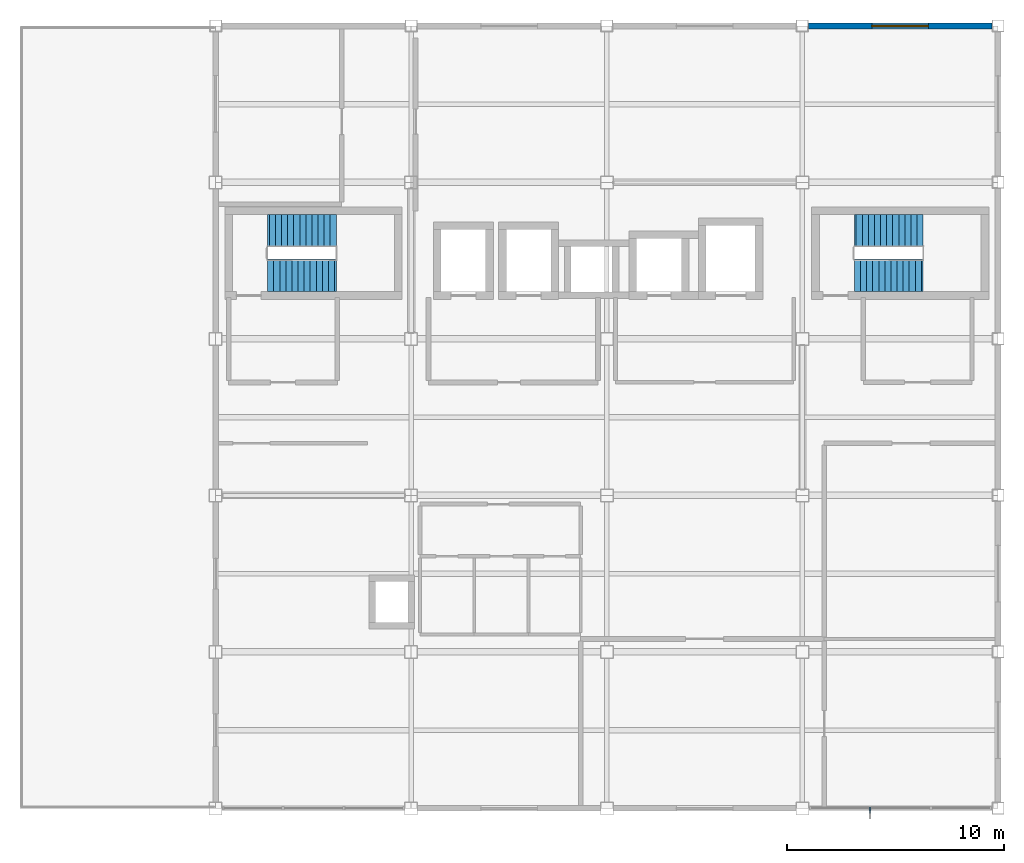
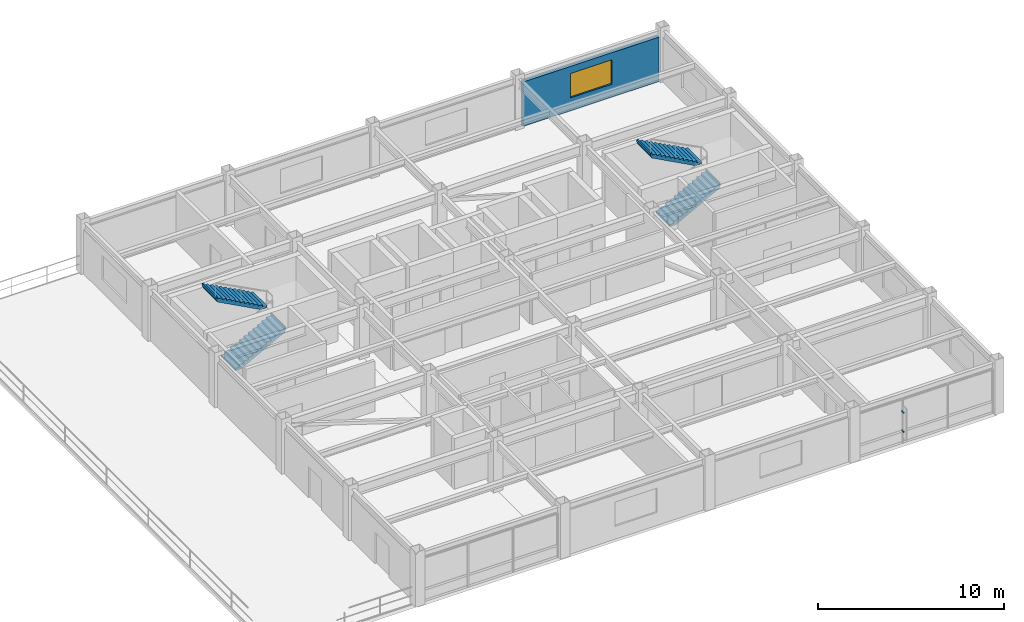
# One storey, part 8 of 11: 4 stair flights, 2 discrete accessories, 1 wall, 1 window, 1 opening, 2 elements without a shape of their own.
"""IFC4 building model written with IfcOpenShell, lengths in metres."""

from ifc_helpers import new_model, si_unit, direction, frame, frame_2d, origin, origin_2d, place, context, subcontext, project, spatial, polyline, rectangle, outline, extrude, material, layer, layer_set, type_object, element, fill, aggregate, save


model = new_model("IFC4")

# Units and contexts
model_context = context("Model", 3, precision=1e-05, world=origin(), true_north=direction((0.0, 1.0)))
body_context = subcontext(model_context, "Body", "Model", "MODEL_VIEW")
ifc_project = project(units=[si_unit("LENGTHUNIT", "METRE"), si_unit("AREAUNIT", "SQUARE_METRE"), si_unit("VOLUMEUNIT", "CUBIC_METRE"), si_unit("PLANEANGLEUNIT", "RADIAN"), si_unit("MASSUNIT", "GRAM", prefix="KILO")], contexts=[model_context])

# Site, building, storey
site_placement = place(None, origin())
site = spatial("IfcSite", under=ifc_project, at=site_placement, CompositionType="ELEMENT")
building_placement = place(site_placement, origin())
building = spatial("IfcBuilding", under=site, at=building_placement, Name="Kazanami Central Library", CompositionType="ELEMENT")
storey_placement = place(building_placement, frame((0.0, 0.0, 24.199951171875)))
storey = spatial("IfcBuildingStorey", under=building, at=storey_placement, Name="L07", CompositionType="ELEMENT", Elevation=24.199951171875)

# Wall, opening, window
ifc_material_1 = material(Name="Concrete Fc36 (36 MPa)", Category="concrete")
ifc_layer_1 = layer(ifc_material_1, 0.179931640625, Name="Concrete Fc36 (36 MPa)")
ifc_material_2 = material(Name="Extruded Polystyrene XPS", Category="earth")
ifc_layer_2 = layer(ifc_material_2, 0.050048828125, Name="Extruded Polystyrene XPS")
ifc_material_3 = material(Name="Honed Inada Granite", Category="masonry")
ifc_layer_3 = layer(ifc_material_3, 0.030029296875, Name="Honed Inada Granite")
ifc_layer_set = layer_set([ifc_layer_1, ifc_layer_2, ifc_layer_3], Name="Concrete Fc36 (36 MPa)")
wall_type = type_object("IfcWallType", Name="WAL-EW-260", PredefinedType="STANDARD", material=ifc_layer_set)
wall_placement = place(storey_placement, frame((161.72509765625, 93.60009765625, 0.0), z_axis=(0.0, 0.0, 1.0), x_axis=(-1.0, 0.0, 0.0)))
wall = element("IfcWall", 1, at=wall_placement, inside=storey, type_object=wall_type, Name="Exterior Facade Wall EW-260 L07 N-O-17", PredefinedType="STANDARD", context=body_context, shape_type="SweptSolid", body=[
    extrude(rectangle(XDim=8.4501953125, YDim=0.260009765625, at=frame_2d((4.22509765625, 0.0))), origin(), (0.0, 0.0, 1.0), 2.920166015625),
])
opening_placement = place(wall_placement, frame((2.925048828125, 0.0, 0.85009765625)))
opening = element("IfcOpeningElement", 2, at=opening_placement, cuts=wall, Name="Opening WN-13", PredefinedType="OPENING", context=body_context, shape_type="SweptSolid", body=[
    extrude(rectangle(XDim=2.60009765625, YDim=1.60009765625, at=frame_2d((1.300048828125, 0.800048828125))), frame((0.0, 0.14208984375, 0.0), z_axis=(0.0, -1.0, 0.0), x_axis=(1.0, 0.0, 0.0)), (0.0, 0.0, 1.0), 0.283935546875),
])
ifc_material_4 = material(Name="Low-E Insulated Triple Glass", Category="glass")
window_type = type_object("IfcWindowType", Name="WIN-WN-13", PartitioningType="DOUBLE_PANEL_VERTICAL", PredefinedType="WINDOW", material=ifc_material_4)
window_placement = place(opening_placement, origin())
window = element("IfcWindow", 3, at=window_placement, inside=storey, type_object=window_type, Name="Facade Window WN-13 L07 N-O-17", OverallHeight=1.60009765625, OverallWidth=2.60009765625, PartitioningType="DOUBLE_PANEL_VERTICAL", PredefinedType="WINDOW", context=body_context, shape_type="SweptSolid", body=[
    extrude(rectangle(XDim=2.60009765625, YDim=1.60009765625, at=frame_2d((1.300048828125, 0.800048828125))), frame((0.0, 0.030029296875, 0.0), z_axis=(0.0, -1.0, 0.0), x_axis=(1.0, 0.0, 0.0)), (0.0, 0.0, 1.0), 0.06005859375),
])
fill(opening, window)

# Stair, stair flights
stair_type = type_object("IfcStairType", Name="STR-T36", PredefinedType="HALF_TURN_STAIR", material=ifc_material_1)
stair_1_placement = place(storey_placement, origin())
stair_1 = element("IfcStair", 4, at=stair_1_placement, inside=storey, type_object=stair_type, Name="Enclosed Escape Stair ST-01 (L07)", PredefinedType="HALF_TURN_STAIR")
stair_flight_type = type_object("IfcStairFlightType", Name="FLT-STR-T36", PredefinedType="STRAIGHT", material=ifc_material_1)
stair_flight_1_placement = place(storey_placement, frame((128.39404296875, 82.125, 0.0), z_axis=(0.0, 0.0, 1.0), x_axis=(1.0, 0.0, 0.0)))
stair_flight_1 = element("IfcStairFlight", 5, at=stair_flight_1_placement, type_object=stair_flight_type, Name="ST-01 flight 1", NumberOfRisers=12, NumberOfTreads=11, PredefinedType="STRAIGHT", RiserHeight=0.15, TreadLength=0.28, context=body_context, shape_type="SweptSolid", body=[
    extrude(outline(polyline([(0.0, 0.0), (0.0, 0.14990234375), (0.280029296875, 0.14990234375), (0.280029296875, 0.300048828125), (0.56005859375, 0.300048828125), (0.56005859375, 0.449951171875), (0.840087890625, 0.449951171875), (0.840087890625, 0.60009765625), (1.1201171875, 0.60009765625), (1.1201171875, 0.75), (1.39990234375, 0.75), (1.39990234375, 0.89990234375), (1.679931640625, 0.89990234375), (1.679931640625, 1.050048828125), (1.9599609375, 1.050048828125), (1.9599609375, 1.199951171875), (2.239990234375, 1.199951171875), (2.239990234375, 1.35009765625), (2.52001953125, 1.35009765625), (2.52001953125, 1.5), (2.800048828125, 1.5), (2.800048828125, 1.64990234375), (3.080078125, 1.64990234375), (3.080078125, 1.800048828125), (3.16015625, 1.800048828125), (3.16015625, 1.6201171875), (3.080078125, 1.44580078125), (0.381103515625, 0.0), (0.0, 0.0)])), frame((0.0, 0.75, 0.0), z_axis=(0.0, -1.0, 0.0), x_axis=(1.0, 0.0, 0.0)), (0.0, 0.0, 1.0), 1.5),
])
stair_flight_2_placement = place(storey_placement, frame((131.553955078125, 84.175048828125, 1.800048828125), z_axis=(0.0, 0.0, 1.0), x_axis=(-1.0, 0.0, 0.0)))
stair_flight_2 = element("IfcStairFlight", 6, at=stair_flight_2_placement, type_object=stair_flight_type, Name="ST-01 flight 2", NumberOfRisers=12, NumberOfTreads=11, PredefinedType="STRAIGHT", RiserHeight=0.15, TreadLength=0.28, context=body_context, shape_type="SweptSolid", body=[
    extrude(outline(polyline([(0.0, 0.0), (0.0, 0.14990234375), (0.280029296875, 0.14990234375), (0.280029296875, 0.300048828125), (0.56005859375, 0.300048828125), (0.56005859375, 0.449951171875), (0.840087890625, 0.449951171875), (0.840087890625, 0.60009765625), (1.1201171875, 0.60009765625), (1.1201171875, 0.75), (1.39990234375, 0.75), (1.39990234375, 0.89990234375), (1.679931640625, 0.89990234375), (1.679931640625, 1.050048828125), (1.9599609375, 1.050048828125), (1.9599609375, 1.199951171875), (2.239990234375, 1.199951171875), (2.239990234375, 1.35009765625), (2.52001953125, 1.35009765625), (2.52001953125, 1.5), (2.800048828125, 1.5), (2.800048828125, 1.64990234375), (3.080078125, 1.64990234375), (3.080078125, 1.800048828125), (3.16015625, 1.800048828125), (3.16015625, 1.6201171875), (3.080078125, 1.44580078125), (0.381103515625, 0.0), (0.0, 0.0)])), frame((0.0, 0.75, 0.0), z_axis=(0.0, -1.0, 0.0), x_axis=(1.0, 0.0, 0.0)), (0.0, 0.0, 1.0), 1.5),
])
aggregate(stair_1, [stair_flight_1, stair_flight_2])

stair_2_placement = place(storey_placement, origin())
stair_2 = element("IfcStair", 7, at=stair_2_placement, inside=storey, type_object=stair_type, Name="Enclosed Escape Stair ST-02 (L07)", PredefinedType="HALF_TURN_STAIR")
stair_flight_3_placement = place(storey_placement, frame((155.39404296875, 82.125, 0.0), z_axis=(0.0, 0.0, 1.0), x_axis=(1.0, 0.0, 0.0)))
stair_flight_3 = element("IfcStairFlight", 8, at=stair_flight_3_placement, type_object=stair_flight_type, Name="ST-02 flight 1", NumberOfRisers=12, NumberOfTreads=11, PredefinedType="STRAIGHT", RiserHeight=0.15, TreadLength=0.28, context=body_context, shape_type="SweptSolid", body=[
    extrude(outline(polyline([(0.0, 0.0), (0.0, 0.14990234375), (0.280029296875, 0.14990234375), (0.280029296875, 0.300048828125), (0.56005859375, 0.300048828125), (0.56005859375, 0.449951171875), (0.840087890625, 0.449951171875), (0.840087890625, 0.60009765625), (1.1201171875, 0.60009765625), (1.1201171875, 0.75), (1.39990234375, 0.75), (1.39990234375, 0.89990234375), (1.679931640625, 0.89990234375), (1.679931640625, 1.050048828125), (1.9599609375, 1.050048828125), (1.9599609375, 1.199951171875), (2.239990234375, 1.199951171875), (2.239990234375, 1.35009765625), (2.52001953125, 1.35009765625), (2.52001953125, 1.5), (2.800048828125, 1.5), (2.800048828125, 1.64990234375), (3.080078125, 1.64990234375), (3.080078125, 1.800048828125), (3.16015625, 1.800048828125), (3.16015625, 1.6201171875), (3.080078125, 1.44580078125), (0.381103515625, 0.0), (0.0, 0.0)])), frame((0.0, 0.75, 0.0), z_axis=(0.0, -1.0, 0.0), x_axis=(1.0, 0.0, 0.0)), (0.0, 0.0, 1.0), 1.5),
])
stair_flight_4_placement = place(storey_placement, frame((158.553955078125, 84.175048828125, 1.800048828125), z_axis=(0.0, 0.0, 1.0), x_axis=(-1.0, 0.0, 0.0)))
stair_flight_4 = element("IfcStairFlight", 9, at=stair_flight_4_placement, type_object=stair_flight_type, Name="ST-02 flight 2", NumberOfRisers=12, NumberOfTreads=11, PredefinedType="STRAIGHT", RiserHeight=0.15, TreadLength=0.28, context=body_context, shape_type="SweptSolid", body=[
    extrude(outline(polyline([(0.0, 0.0), (0.0, 0.14990234375), (0.280029296875, 0.14990234375), (0.280029296875, 0.300048828125), (0.56005859375, 0.300048828125), (0.56005859375, 0.449951171875), (0.840087890625, 0.449951171875), (0.840087890625, 0.60009765625), (1.1201171875, 0.60009765625), (1.1201171875, 0.75), (1.39990234375, 0.75), (1.39990234375, 0.89990234375), (1.679931640625, 0.89990234375), (1.679931640625, 1.050048828125), (1.9599609375, 1.050048828125), (1.9599609375, 1.199951171875), (2.239990234375, 1.199951171875), (2.239990234375, 1.35009765625), (2.52001953125, 1.35009765625), (2.52001953125, 1.5), (2.800048828125, 1.5), (2.800048828125, 1.64990234375), (3.080078125, 1.64990234375), (3.080078125, 1.800048828125), (3.16015625, 1.800048828125), (3.16015625, 1.6201171875), (3.080078125, 1.44580078125), (0.381103515625, 0.0), (0.0, 0.0)])), frame((0.0, 0.75, 0.0), z_axis=(0.0, -1.0, 0.0), x_axis=(1.0, 0.0, 0.0)), (0.0, 0.0, 1.0), 1.5),
])
aggregate(stair_2, [stair_flight_3, stair_flight_4])

# Discrete accessories
ifc_material_5 = material(Name="Stainless Steel SUS304", Category="steel")
discrete_accessory_type = type_object("IfcDiscreteAccessoryType", Name="ACC-BRK-1", PredefinedType="BRACKET", material=ifc_material_5)
for number, where, z_axis, x_axis, name in (
    (10, (156.1083984375, 57.510009765625, 0.7900390625), (0.0, 0.0, 1.0), (1.0, 0.0, 0.0), "Solar Fin Outrigger Bracket L07 S-J-17.1.1"),
    (11, (156.1083984375, 57.510009765625, 2.050048828125), (0.0, 0.0, 1.0), (1.0, 0.0, 0.0), "Solar Fin Outrigger Bracket L07 S-J-17.1.2"),
):
    element("IfcDiscreteAccessory", number, at=place(storey_placement, frame(where, z_axis=z_axis, x_axis=x_axis)), inside=storey, type_object=discrete_accessory_type, Name=name, PredefinedType="BRACKET", context=body_context, shape_type="SweptSolid", body=[
        extrude(rectangle(XDim=0.080078125, YDim=0.280029296875, at=origin_2d()), origin(), (0.0, 0.0, 1.0), 0.080078125),
    ])

save(model, "model.ifc")
